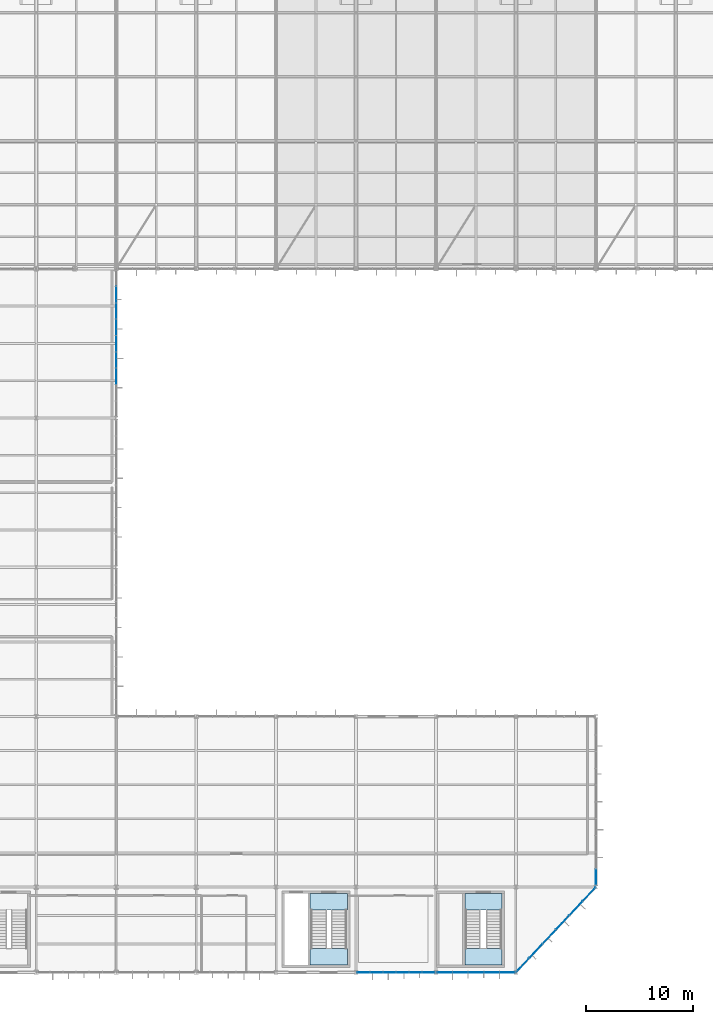
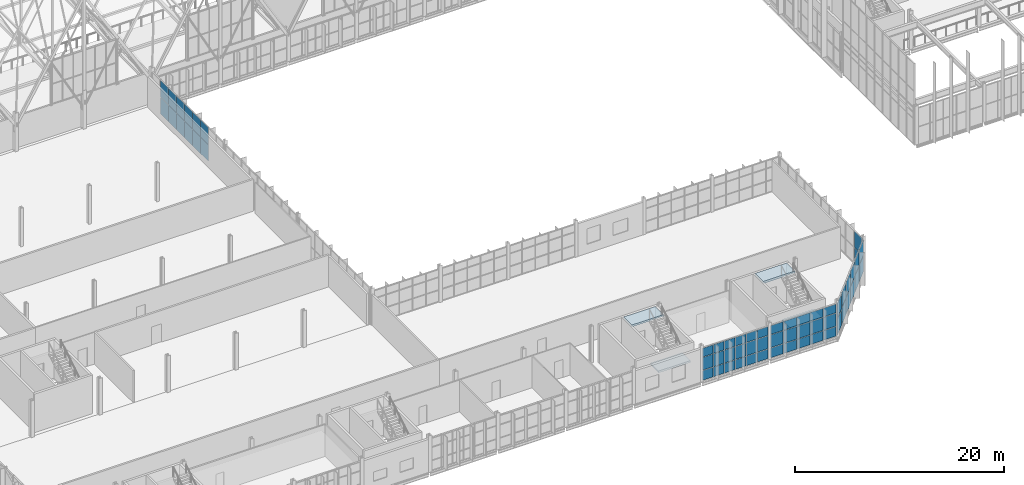
# One storey, part 269 of 324: 59 plates, 4 slabs, 7 elements without a shape of their own.
"""IFC4 building model written with IfcOpenShell, lengths in metres."""

import ifcopenshell
import ifcopenshell.guid

model = None  # the IFC model being written
_history = None  # IfcOwnerHistory: only IFC2X3 demands one
_inside = {}  # id of a spatial element -> (the spatial element, [elements in it])
_under = {}  # id of a project, library or spatial element -> (it, [spatial elements below it])
_declared = {}  # id of a project -> (the project, [libraries it declares])
_typed = {}  # id of a type object -> (the type object, [elements of that type])
_made_of = {}  # id of a material, layer set ... -> (it, [elements and type objects made of it])


def new_model(schema):
    """Start an empty IFC model of exactly this schema.

    Asked for "IFC4X3", IfcOpenShell would pick the latest addendum, in which some entities
    have other attributes; the version numbers below select the first issue.
    IFC2X3 requires an IfcOwnerHistory on every rooted entity: one is made here for all.
    """
    global model, _history
    if schema == "IFC4X3":
        model = ifcopenshell.file(schema_version=(4, 3, 0, 0))
    else:
        model = ifcopenshell.file(schema=schema)
    _inside.clear()
    _under.clear()
    _declared.clear()
    _typed.clear()
    _made_of.clear()
    _history = None
    if model.schema == "IFC2X3":
        org = make("IfcOrganization", Name="unknown")
        user = make(
            "IfcPersonAndOrganization",
            ThePerson=make("IfcPerson", FamilyName="unknown"),
            TheOrganization=org,
        )
        app = make(
            "IfcApplication",
            ApplicationDeveloper=org,
            Version="unknown",
            ApplicationFullName="unknown",
            ApplicationIdentifier="unknown",
        )
        _history = make(
            "IfcOwnerHistory",
            OwningUser=user,
            OwningApplication=app,
            ChangeAction="ADDED",
            CreationDate=0,
        )
    return model


def make(cls, **values):
    """One entity of the class cls with the attributes given. An attribute that is None is left unset."""
    return model.create_entity(
        cls, **{name: value for name, value in values.items() if value is not None}
    )


def rooted(cls, **values):
    """An entity with a GlobalId (a new one), such as an element, a storey or a relation."""
    return make(cls, GlobalId=ifcopenshell.guid.new(), OwnerHistory=_history, **values)


def si_unit(unit_type, name, prefix=None):
    """IfcSIUnit, for example si_unit("LENGTHUNIT", "METRE", prefix="MILLI")."""
    return make("IfcSIUnit", UnitType=unit_type, Prefix=prefix, Name=name)


def assignment(units):
    """IfcUnitAssignment: the units of a project."""
    return None if units is None else make("IfcUnitAssignment", Units=units)


def point(xyz):
    """IfcCartesianPoint."""
    return None if xyz is None else make("IfcCartesianPoint", Coordinates=xyz)


def direction(xyz):
    """IfcDirection."""
    return None if xyz is None else make("IfcDirection", DirectionRatios=xyz)


def frame(location, z_axis=None, x_axis=None):
    """IfcAxis2Placement3D, a coordinate frame: its origin and axes. An axis left out is left unset."""
    return make(
        "IfcAxis2Placement3D",
        Location=point(location),
        Axis=direction(z_axis),
        RefDirection=direction(x_axis),
    )


def frame_2d(location, x_axis=None):
    """IfcAxis2Placement2D, a coordinate frame in the plane: its origin and x axis."""
    return make(
        "IfcAxis2Placement2D", Location=point(location), RefDirection=direction(x_axis)
    )


def origin():
    """The frame at (0, 0, 0) with its axes left unset."""
    return frame((0.0, 0.0, 0.0))


def origin_2d():
    """The frame at (0, 0) in the plane with its x axis left unset."""
    return frame_2d((0.0, 0.0))


def place(relative_to, where):
    """IfcLocalPlacement: puts the frame where relative to a parent placement (None: the world)."""
    return make(
        "IfcLocalPlacement", PlacementRelTo=relative_to, RelativePlacement=where
    )


def context(
    kind, dimensions, precision=None, world=None, true_north=None, identifier=None
):
    """IfcGeometricRepresentationContext, for example the 3D "Model" context."""
    return make(
        "IfcGeometricRepresentationContext",
        ContextIdentifier=identifier,
        ContextType=kind,
        CoordinateSpaceDimension=dimensions,
        Precision=precision,
        WorldCoordinateSystem=world,
        TrueNorth=true_north,
    )


def subcontext(parent, identifier, kind, view, scale=None):
    """IfcGeometricRepresentationSubContext, for example "Body" below "Model"."""
    return make(
        "IfcGeometricRepresentationSubContext",
        ContextIdentifier=identifier,
        ContextType=kind,
        ParentContext=parent,
        TargetScale=scale,
        TargetView=view,
    )


def project(units=None, contexts=None):
    """IfcProject with its units and contexts."""
    return rooted(
        "IfcProject",
        Name="project",
        RepresentationContexts=contexts,
        UnitsInContext=assignment(units),
    )


def spatial(cls, under=None, at=None, **own):
    """A site, building, storey or space (cls), placed at a placement, below another one or the project."""
    s = rooted(cls, ObjectPlacement=at, **own)
    if under is not None:
        _under.setdefault(under.id(), (under, []))[1].append(s)
    return s


def polyline(points):
    """IfcPolyline through the points."""
    return make("IfcPolyline", Points=[point(p) for p in points])


def profile(cls, at=None, kind="AREA", **sizes):
    """A parametric profile (cls). Its sizes go by their IFC names, for example OverallWidth=200.0."""
    return make(cls, ProfileType=kind, Position=at, **sizes)


def rectangle(**sizes):
    """IfcRectangleProfileDef."""
    return profile("IfcRectangleProfileDef", **sizes)


def outline(outer, holes=None, kind="AREA"):
    """IfcArbitraryClosedProfileDef: a profile drawn as a closed curve; with holes, ...WithVoids."""
    if holes is None:
        return make("IfcArbitraryClosedProfileDef", ProfileType=kind, OuterCurve=outer)
    return make(
        "IfcArbitraryProfileDefWithVoids",
        ProfileType=kind,
        OuterCurve=outer,
        InnerCurves=holes,
    )


def extrude(swept, where, along, depth):
    """IfcExtrudedAreaSolid: the profile swept, set in the frame where, extruded along a direction by depth."""
    return make(
        "IfcExtrudedAreaSolid",
        SweptArea=swept,
        Position=where,
        ExtrudedDirection=direction(along),
        Depth=depth,
    )


def shape(context_of_items, identifier, shape_type, items):
    """IfcShapeRepresentation: the items that make up one representation, for example the "Body"."""
    return make(
        "IfcShapeRepresentation",
        ContextOfItems=context_of_items,
        RepresentationIdentifier=identifier,
        RepresentationType=shape_type,
        Items=items,
    )


def material(Name=None, Category=None):
    """IfcMaterial."""
    return make("IfcMaterial", Name=Name, Category=Category)


def layer(
    of_material, thickness, ventilated=None, Name=None, Category=None, Priority=None
):
    """IfcMaterialLayer: one layer of a wall or slab, of a material (None: an air gap)."""
    return make(
        "IfcMaterialLayer",
        Material=of_material,
        LayerThickness=thickness,
        IsVentilated=ventilated,
        Name=Name,
        Category=Category,
        Priority=Priority,
    )


def layer_set(layers, Name=None):
    """IfcMaterialLayerSet."""
    return make("IfcMaterialLayerSet", MaterialLayers=layers, LayerSetName=Name)


def made_of(thing, what):
    """Note that an element or type object is made of a material, layer set ...; save() writes the relation."""
    if what is not None:
        _made_of.setdefault(what.id(), (what, []))[1].append(thing)
    return thing


def type_object(cls, material=None, **own):
    """A type object (cls), such as IfcWallType, which elements share."""
    return made_of(rooted(cls, **own), material)


def element(
    cls,
    number,
    at=None,
    inside=None,
    cuts=None,
    type_object=None,
    material=None,
    context=None,
    identifier="Body",
    shape_type=None,
    held_by="IfcProductDefinitionShape",
    body=None,
    shapes=None,
    **own,
):
    """One element of the class cls, such as IfcWall. Its Tag is "e" and its number.

    at: its placement. inside: the storey or other place that contains it. cuts: it is an
    opening in that element (IfcRelVoidsElement). A single representation is given by context,
    identifier, shape_type and body (its items); several are given by shapes. held_by: the class
    of the entity that holds the representations. save() writes the other relations.
    """
    e = rooted(cls, Tag="e%d" % number, ObjectPlacement=at, **own)
    if body is not None:
        shapes = [shape(context, identifier, shape_type, body)]
    if shapes is not None:
        e.Representation = make(held_by, Representations=shapes)
    if inside is not None:
        _inside.setdefault(inside.id(), (inside, []))[1].append(e)
    if cuts is not None:
        rooted(
            "IfcRelVoidsElement", RelatingBuildingElement=cuts, RelatedOpeningElement=e
        )
    if type_object is not None:
        _typed.setdefault(type_object.id(), (type_object, []))[1].append(e)
    return made_of(e, material)


def aggregate(whole, parts):
    """IfcRelAggregates: a whole, such as a stair, and the parts it consists of."""
    return rooted("IfcRelAggregates", RelatingObject=whole, RelatedObjects=parts)


def save(model, path):
    """Write the relations noted so far, then the file.

    IfcRelAggregates (storeys below a building ...), IfcRelContainedInSpatialStructure (elements
    in a storey), IfcRelDefinesByType, IfcRelAssociatesMaterial and IfcRelDeclares: one each for
    every whole, place, type object, material and project.
    """
    for whole, parts in _under.values():
        aggregate(whole, parts)
    for where, things in _inside.values():
        rooted(
            "IfcRelContainedInSpatialStructure",
            RelatedElements=things,
            RelatingStructure=where,
        )
    for kind, things in _typed.values():
        rooted("IfcRelDefinesByType", RelatedObjects=things, RelatingType=kind)
    for what, things in _made_of.values():
        rooted("IfcRelAssociatesMaterial", RelatedObjects=things, RelatingMaterial=what)
    for by, libraries in _declared.values():
        rooted("IfcRelDeclares", RelatingContext=by, RelatedDefinitions=libraries)
    model.write(path)


model = new_model("IFC4")

# Units and contexts
model_context = context("Model", 3, precision=1e-05, world=origin(), true_north=direction((0.0, 1.0)))
body_context = subcontext(model_context, "Body", "Model", "MODEL_VIEW")
ifc_project = project(units=[si_unit("LENGTHUNIT", "METRE"), si_unit("AREAUNIT", "SQUARE_METRE"), si_unit("VOLUMEUNIT", "CUBIC_METRE"), si_unit("PLANEANGLEUNIT", "RADIAN"), si_unit("MASSUNIT", "GRAM", prefix="KILO")], contexts=[model_context])

# Site, building, storey
site_placement = place(None, origin())
site = spatial("IfcSite", under=ifc_project, at=site_placement, CompositionType="ELEMENT")
building_placement = place(site_placement, origin())
building = spatial("IfcBuilding", under=site, at=building_placement, Name="Solvenia Promenade Tram Depot", CompositionType="ELEMENT")
storey_placement = place(building_placement, frame((0.0, 0.0, 4.5)))
storey = spatial("IfcBuildingStorey", under=building, at=storey_placement, Name="L01", CompositionType="ELEMENT", Elevation=4.5)

# Curtain wall, plates
ifc_material_1 = material(Name="Anodized aluminium AW-6063 T6", Category="aluminium")
ifc_layer_1 = layer(ifc_material_1, 0.1201171875, Name="Anodized aluminium AW-6063 T6", Category="aluminium")
ifc_layer_set_1 = layer_set([ifc_layer_1], Name="Anodized aluminium AW-6063 T6")
curtain_wall_type_1 = type_object("IfcCurtainWallType", Name="CW-Wash-1500", PredefinedType="NOTDEFINED", material=ifc_layer_set_1)
curtain_wall_1_placement = place(storey_placement, origin())
curtain_wall_1 = element("IfcCurtainWall", 1, at=curtain_wall_1_placement, inside=storey, type_object=curtain_wall_type_1, Name="Curtain Wall CW-V3-E-L1-3", PredefinedType="NOTDEFINED")
ifc_material_2 = material(Name="Low-iron translucent U-profile channel glass", Category="glass")
ifc_layer_2 = layer(ifc_material_2, 0.028076171875, Name="Low-iron translucent U-profile channel glass", Category="glass")
ifc_layer_set_2 = layer_set([ifc_layer_2], Name="Low-iron translucent U-profile channel glass")
plate_type_1 = type_object("IfcPlateType", Name="CWP-Panel-1", PredefinedType="CURTAIN_PANEL", material=ifc_layer_set_2)
plate_1_placement = place(storey_placement, frame((45.0, 55.90771484375, 0.06005859375), z_axis=(0.0, 0.0, 1.0), x_axis=(0.0, 1.0, 0.0)))
plate_1 = element("IfcPlate", 2, at=plate_1_placement, type_object=plate_type_1, Name="CW-10 panel 3.1", PredefinedType="CURTAIN_PANEL", context=body_context, shape_type="SweptSolid", body=[
    extrude(rectangle(XDim=1.47900390625, YDim=0.028076171875, at=origin_2d()), origin(), (0.0, 0.0, 1.0), 1.909912109375),
])
plate_2_placement = place(storey_placement, frame((45.0, 55.90771484375, 2.030029296875), z_axis=(0.0, 0.0, 1.0), x_axis=(0.0, 1.0, 0.0)))
plate_2 = element("IfcPlate", 3, at=plate_2_placement, type_object=plate_type_1, Name="CW-10 panel 3.2", PredefinedType="CURTAIN_PANEL", context=body_context, shape_type="SweptSolid", body=[
    extrude(rectangle(XDim=1.47900390625, YDim=0.028076171875, at=origin_2d()), origin(), (0.0, 0.0, 1.0), 1.9599609375),
])
plate_3_placement = place(storey_placement, frame((45.0, 57.43896484375, 0.06005859375), z_axis=(0.0, 0.0, 1.0), x_axis=(0.0, 1.0, 0.0)))
plate_3 = element("IfcPlate", 4, at=plate_3_placement, type_object=plate_type_1, Name="CW-10 panel 4.1", PredefinedType="CURTAIN_PANEL", context=body_context, shape_type="SweptSolid", body=[
    extrude(rectangle(XDim=1.47900390625, YDim=0.028076171875, at=origin_2d()), origin(), (0.0, 0.0, 1.0), 1.909912109375),
])
plate_4_placement = place(storey_placement, frame((45.0, 57.43896484375, 2.030029296875), z_axis=(0.0, 0.0, 1.0), x_axis=(0.0, 1.0, 0.0)))
plate_4 = element("IfcPlate", 5, at=plate_4_placement, type_object=plate_type_1, Name="CW-10 panel 4.2", PredefinedType="CURTAIN_PANEL", context=body_context, shape_type="SweptSolid", body=[
    extrude(rectangle(XDim=1.47900390625, YDim=0.028076171875, at=origin_2d()), origin(), (0.0, 0.0, 1.0), 1.9599609375),
])
plate_5_placement = place(storey_placement, frame((45.0, 58.969970703125, 0.06005859375), z_axis=(0.0, 0.0, 1.0), x_axis=(0.0, 1.0, 0.0)))
plate_5 = element("IfcPlate", 6, at=plate_5_placement, type_object=plate_type_1, Name="CW-10 panel 5.1", PredefinedType="CURTAIN_PANEL", context=body_context, shape_type="SweptSolid", body=[
    extrude(rectangle(XDim=1.47900390625, YDim=0.028076171875, at=origin_2d()), origin(), (0.0, 0.0, 1.0), 1.909912109375),
])
plate_6_placement = place(storey_placement, frame((45.0, 58.969970703125, 2.030029296875), z_axis=(0.0, 0.0, 1.0), x_axis=(0.0, 1.0, 0.0)))
plate_6 = element("IfcPlate", 7, at=plate_6_placement, type_object=plate_type_1, Name="CW-10 panel 5.2", PredefinedType="CURTAIN_PANEL", context=body_context, shape_type="SweptSolid", body=[
    extrude(rectangle(XDim=1.47900390625, YDim=0.028076171875, at=origin_2d()), origin(), (0.0, 0.0, 1.0), 1.9599609375),
])
plate_7_placement = place(storey_placement, frame((45.0, 60.501220703125, 0.06005859375), z_axis=(0.0, 0.0, 1.0), x_axis=(0.0, 1.0, 0.0)))
plate_7 = element("IfcPlate", 8, at=plate_7_placement, type_object=plate_type_1, Name="CW-10 panel 6.1", PredefinedType="CURTAIN_PANEL", context=body_context, shape_type="SweptSolid", body=[
    extrude(rectangle(XDim=1.47900390625, YDim=0.028076171875, at=origin_2d()), origin(), (0.0, 0.0, 1.0), 1.909912109375),
])
plate_8_placement = place(storey_placement, frame((45.0, 60.501220703125, 2.030029296875), z_axis=(0.0, 0.0, 1.0), x_axis=(0.0, 1.0, 0.0)))
plate_8 = element("IfcPlate", 9, at=plate_8_placement, type_object=plate_type_1, Name="CW-10 panel 6.2", PredefinedType="CURTAIN_PANEL", context=body_context, shape_type="SweptSolid", body=[
    extrude(rectangle(XDim=1.47900390625, YDim=0.028076171875, at=origin_2d()), origin(), (0.0, 0.0, 1.0), 1.9599609375),
])
plate_9_placement = place(storey_placement, frame((45.0, 62.0322265625, 0.06005859375), z_axis=(0.0, 0.0, 1.0), x_axis=(0.0, 1.0, 0.0)))
plate_9 = element("IfcPlate", 10, at=plate_9_placement, type_object=plate_type_1, Name="CW-10 panel 7.1", PredefinedType="CURTAIN_PANEL", context=body_context, shape_type="SweptSolid", body=[
    extrude(rectangle(XDim=1.47900390625, YDim=0.028076171875, at=origin_2d()), origin(), (0.0, 0.0, 1.0), 1.909912109375),
])
plate_10_placement = place(storey_placement, frame((45.0, 62.0322265625, 2.030029296875), z_axis=(0.0, 0.0, 1.0), x_axis=(0.0, 1.0, 0.0)))
plate_10 = element("IfcPlate", 11, at=plate_10_placement, type_object=plate_type_1, Name="CW-10 panel 7.2", PredefinedType="CURTAIN_PANEL", context=body_context, shape_type="SweptSolid", body=[
    extrude(rectangle(XDim=1.47900390625, YDim=0.028076171875, at=origin_2d()), origin(), (0.0, 0.0, 1.0), 1.9599609375),
])
plate_11_placement = place(storey_placement, frame((45.0, 63.563232421875, 0.06005859375), z_axis=(0.0, 0.0, 1.0), x_axis=(0.0, 1.0, 0.0)))
plate_11 = element("IfcPlate", 12, at=plate_11_placement, type_object=plate_type_1, Name="CW-10 panel 8.1", PredefinedType="CURTAIN_PANEL", context=body_context, shape_type="SweptSolid", body=[
    extrude(rectangle(XDim=1.47900390625, YDim=0.028076171875, at=origin_2d()), origin(), (0.0, 0.0, 1.0), 1.909912109375),
])
plate_12_placement = place(storey_placement, frame((45.0, 63.563232421875, 2.030029296875), z_axis=(0.0, 0.0, 1.0), x_axis=(0.0, 1.0, 0.0)))
plate_12 = element("IfcPlate", 13, at=plate_12_placement, type_object=plate_type_1, Name="CW-10 panel 8.2", PredefinedType="CURTAIN_PANEL", context=body_context, shape_type="SweptSolid", body=[
    extrude(rectangle(XDim=1.47900390625, YDim=0.028076171875, at=origin_2d()), origin(), (0.0, 0.0, 1.0), 1.9599609375),
])
aggregate(curtain_wall_1, [plate_1, plate_2, plate_3, plate_4, plate_5, plate_6, plate_7, plate_8, plate_9, plate_10, plate_11, plate_12])

ifc_layer_3 = layer(ifc_material_1, 0.14990234375, Name="Anodized aluminium AW-6063 T6", Category="aluminium")
ifc_layer_set_3 = layer_set([ifc_layer_3], Name="Anodized aluminium AW-6063 T6")
curtain_wall_type_2 = type_object("IfcCurtainWallType", Name="CW-Court-1500", PredefinedType="NOTDEFINED", material=ifc_layer_set_3)
curtain_wall_2_placement = place(storey_placement, origin())
curtain_wall_2 = element("IfcCurtainWall", 14, at=curtain_wall_2_placement, inside=storey, type_object=curtain_wall_type_2, Name="Curtain Wall CW-V4E-L01", PredefinedType="NOTDEFINED")
ifc_material_3 = material(Name="Double low-e argon insulated glass", Category="glass")
ifc_layer_4 = layer(ifc_material_3, 0.031982421875, Name="Double low-e argon insulated glass", Category="glass")
ifc_layer_set_4 = layer_set([ifc_layer_4], Name="Double low-e argon insulated glass")
plate_type_2 = type_object("IfcPlateType", Name="CWP-Panel-2", PredefinedType="CURTAIN_PANEL", material=ifc_layer_set_4)
plate_13_placement = place(storey_placement, frame((90.0, 8.947509765625, 0.06494140625), z_axis=(0.0, 0.0, 1.0), x_axis=(0.0, 1.0, 0.0)))
plate_13 = element("IfcPlate", 15, at=plate_13_placement, type_object=plate_type_2, Name="CW-5 panel 1.1", PredefinedType="CURTAIN_PANEL", context=body_context, shape_type="SweptSolid", body=[
    extrude(rectangle(XDim=1.4951171875, YDim=0.031982421875, at=origin_2d()), origin(), (0.0, 0.0, 1.0), 1.75244140625),
])
plate_14_placement = place(storey_placement, frame((90.0, 8.947509765625, 1.88232421875), z_axis=(0.0, 0.0, 1.0), x_axis=(0.0, 1.0, 0.0)))
plate_14 = element("IfcPlate", 16, at=plate_14_placement, type_object=plate_type_2, Name="CW-5 panel 1.2", PredefinedType="CURTAIN_PANEL", context=body_context, shape_type="SweptSolid", body=[
    extrude(rectangle(XDim=1.4951171875, YDim=0.031982421875, at=origin_2d()), origin(), (0.0, 0.0, 1.0), 1.902587890625),
])
aggregate(curtain_wall_2, [plate_13, plate_14])

ifc_layer_5 = layer(ifc_material_1, 0.179931640625, Name="Anodized aluminium AW-6063 T6", Category="aluminium")
ifc_layer_set_5 = layer_set([ifc_layer_5], Name="Anodized aluminium AW-6063 T6")
curtain_wall_type_3 = type_object("IfcCurtainWallType", Name="CW-Prom-1800", PredefinedType="NOTDEFINED", material=ifc_layer_set_5)
curtain_wall_3_placement = place(storey_placement, origin())
curtain_wall_3 = element("IfcCurtainWall", 17, at=curtain_wall_3_placement, inside=storey, type_object=curtain_wall_type_3, Name="L01 East Forecourt Faceted Prow Curtain Wall", PredefinedType="NOTDEFINED")
ifc_layer_6 = layer(ifc_material_3, 0.035888671875, Name="Double low-e argon insulated glass", Category="glass")
ifc_layer_set_6 = layer_set([ifc_layer_6], Name="Double low-e argon insulated glass")
plate_type_3 = type_object("IfcPlateType", Name="CWP-Panel-3", PredefinedType="CURTAIN_PANEL", material=ifc_layer_set_6)
plate_15_placement = place(storey_placement, frame((83.13330078125, 0.675537109375, 0.057861328125), z_axis=(0.0, 0.0, 1.0), x_axis=(0.683941128881, 0.72953720414, 0.0)))
plate_15 = element("IfcPlate", 18, at=plate_15_placement, type_object=plate_type_3, Name="CW-9 panel 1.1", PredefinedType="CURTAIN_PANEL", context=body_context, shape_type="SweptSolid", body=[
    extrude(rectangle(XDim=1.755615234375, YDim=0.035888671875, at=origin_2d()), origin(), (0.0, 0.0, 1.0), 1.9130859375),
])
plate_16_placement = place(storey_placement, frame((83.13330078125, 0.675537109375, 2.02880859375), z_axis=(0.0, 0.0, 1.0), x_axis=(0.683941128881, 0.72953720414, 0.0)))
plate_16 = element("IfcPlate", 19, at=plate_16_placement, type_object=plate_type_3, Name="CW-9 panel 1.2", PredefinedType="CURTAIN_PANEL", context=body_context, shape_type="SweptSolid", body=[
    extrude(rectangle(XDim=1.755615234375, YDim=0.035888671875, at=origin_2d()), origin(), (0.0, 0.0, 1.0), 1.762939453125),
])
plate_17_placement = place(storey_placement, frame((84.375, 2.0, 0.057861328125), z_axis=(0.0, 0.0, 1.0), x_axis=(0.683941128881, 0.72953720414, 0.0)))
plate_17 = element("IfcPlate", 20, at=plate_17_placement, type_object=plate_type_3, Name="CW-9 panel 2.1", PredefinedType="CURTAIN_PANEL", context=body_context, shape_type="SweptSolid", body=[
    extrude(rectangle(XDim=1.779541015625, YDim=0.035888671875, at=origin_2d()), origin(), (0.0, 0.0, 1.0), 1.9130859375),
])
plate_18_placement = place(storey_placement, frame((84.375, 2.0, 2.02880859375), z_axis=(0.0, 0.0, 1.0), x_axis=(0.683941128881, 0.72953720414, 0.0)))
plate_18 = element("IfcPlate", 21, at=plate_18_placement, type_object=plate_type_3, Name="CW-9 panel 2.2", PredefinedType="CURTAIN_PANEL", context=body_context, shape_type="SweptSolid", body=[
    extrude(rectangle(XDim=1.779541015625, YDim=0.035888671875, at=origin_2d()), origin(), (0.0, 0.0, 1.0), 1.762939453125),
])
plate_19_placement = place(storey_placement, frame((85.625, 3.333251953125, 0.057861328125), z_axis=(0.0, 0.0, 1.0), x_axis=(0.683941128881, 0.72953720414, 0.0)))
plate_19 = element("IfcPlate", 22, at=plate_19_placement, type_object=plate_type_3, Name="CW-9 panel 3.1", PredefinedType="CURTAIN_PANEL", context=body_context, shape_type="SweptSolid", body=[
    extrude(rectangle(XDim=1.779541015625, YDim=0.035888671875, at=origin_2d()), origin(), (0.0, 0.0, 1.0), 1.9130859375),
])
plate_20_placement = place(storey_placement, frame((85.625, 3.333251953125, 2.02880859375), z_axis=(0.0, 0.0, 1.0), x_axis=(0.683941128881, 0.72953720414, 0.0)))
plate_20 = element("IfcPlate", 23, at=plate_20_placement, type_object=plate_type_3, Name="CW-9 panel 3.2", PredefinedType="CURTAIN_PANEL", context=body_context, shape_type="SweptSolid", body=[
    extrude(rectangle(XDim=1.779541015625, YDim=0.035888671875, at=origin_2d()), origin(), (0.0, 0.0, 1.0), 1.762939453125),
])
plate_21_placement = place(storey_placement, frame((86.875, 4.666748046875, 0.057861328125), z_axis=(0.0, 0.0, 1.0), x_axis=(0.683941128881, 0.72953720414, 0.0)))
plate_21 = element("IfcPlate", 24, at=plate_21_placement, type_object=plate_type_3, Name="CW-9 panel 4.1", PredefinedType="CURTAIN_PANEL", context=body_context, shape_type="SweptSolid", body=[
    extrude(rectangle(XDim=1.779541015625, YDim=0.035888671875, at=origin_2d()), origin(), (0.0, 0.0, 1.0), 1.9130859375),
])
plate_22_placement = place(storey_placement, frame((86.875, 4.666748046875, 2.02880859375), z_axis=(0.0, 0.0, 1.0), x_axis=(0.683941128881, 0.72953720414, 0.0)))
plate_22 = element("IfcPlate", 25, at=plate_22_placement, type_object=plate_type_3, Name="CW-9 panel 4.2", PredefinedType="CURTAIN_PANEL", context=body_context, shape_type="SweptSolid", body=[
    extrude(rectangle(XDim=1.779541015625, YDim=0.035888671875, at=origin_2d()), origin(), (0.0, 0.0, 1.0), 1.762939453125),
])
plate_23_placement = place(storey_placement, frame((88.125, 6.0, 0.057861328125), z_axis=(0.0, 0.0, 1.0), x_axis=(0.683941128881, 0.72953720414, 0.0)))
plate_23 = element("IfcPlate", 26, at=plate_23_placement, type_object=plate_type_3, Name="CW-9 panel 5.1", PredefinedType="CURTAIN_PANEL", context=body_context, shape_type="SweptSolid", body=[
    extrude(rectangle(XDim=1.779541015625, YDim=0.035888671875, at=origin_2d()), origin(), (0.0, 0.0, 1.0), 1.9130859375),
])
plate_24_placement = place(storey_placement, frame((88.125, 6.0, 2.02880859375), z_axis=(0.0, 0.0, 1.0), x_axis=(0.683941128881, 0.72953720414, 0.0)))
plate_24 = element("IfcPlate", 27, at=plate_24_placement, type_object=plate_type_3, Name="CW-9 panel 5.2", PredefinedType="CURTAIN_PANEL", context=body_context, shape_type="SweptSolid", body=[
    extrude(rectangle(XDim=1.779541015625, YDim=0.035888671875, at=origin_2d()), origin(), (0.0, 0.0, 1.0), 1.762939453125),
])
plate_25_placement = place(storey_placement, frame((89.36669921875, 7.324462890625, 0.057861328125), z_axis=(0.0, 0.0, 1.0), x_axis=(0.683941128881, 0.72953720414, 0.0)))
plate_25 = element("IfcPlate", 28, at=plate_25_placement, type_object=plate_type_3, Name="CW-9 panel 6.1", PredefinedType="CURTAIN_PANEL", context=body_context, shape_type="SweptSolid", body=[
    extrude(rectangle(XDim=1.755615234375, YDim=0.035888671875, at=origin_2d()), origin(), (0.0, 0.0, 1.0), 1.9130859375),
])
plate_26_placement = place(storey_placement, frame((89.36669921875, 7.324462890625, 2.02880859375), z_axis=(0.0, 0.0, 1.0), x_axis=(0.683941128881, 0.72953720414, 0.0)))
plate_26 = element("IfcPlate", 29, at=plate_26_placement, type_object=plate_type_3, Name="CW-9 panel 6.2", PredefinedType="CURTAIN_PANEL", context=body_context, shape_type="SweptSolid", body=[
    extrude(rectangle(XDim=1.755615234375, YDim=0.035888671875, at=origin_2d()), origin(), (0.0, 0.0, 1.0), 1.762939453125),
])
aggregate(curtain_wall_3, [plate_15, plate_16, plate_17, plate_18, plate_19, plate_20, plate_21, plate_22, plate_23, plate_24, plate_25, plate_26])

ifc_layer_7 = layer(ifc_material_1, 0.179931640625, Name="Anodized aluminium AW-6063 T6", Category="aluminium")
ifc_layer_set_7 = layer_set([ifc_layer_7], Name="Anodized aluminium AW-6063 T6")
curtain_wall_type_4 = type_object("IfcCurtainWallType", Name="CW-Solar-1250", PredefinedType="NOTDEFINED", material=ifc_layer_set_7)
curtain_wall_4_placement = place(storey_placement, origin())
curtain_wall_4 = element("IfcCurtainWall", 30, at=curtain_wall_4_placement, inside=storey, type_object=curtain_wall_type_4, Name="Curtain Wall CW-V4S-L01-09", PredefinedType="NOTDEFINED")
plate_27_placement = place(storey_placement, frame((68.20361328125, 0.0, 0.05810546875), z_axis=(0.0, 0.0, 1.0), x_axis=(1.0, 0.0, 0.0)))
plate_27 = element("IfcPlate", 31, at=plate_27_placement, type_object=plate_type_3, Name="CW-6 panel 1.1", PredefinedType="CURTAIN_PANEL", context=body_context, shape_type="SweptSolid", body=[
    extrude(rectangle(XDim=1.1513671875, YDim=0.035888671875, at=origin_2d()), origin(), (0.0, 0.0, 1.0), 1.113037109375),
])
plate_28_placement = place(storey_placement, frame((68.20361328125, 0.0, 1.22900390625), z_axis=(0.0, 0.0, 1.0), x_axis=(1.0, 0.0, 0.0)))
plate_28 = element("IfcPlate", 32, at=plate_28_placement, type_object=plate_type_3, Name="CW-6 panel 1.2", PredefinedType="CURTAIN_PANEL", context=body_context, shape_type="SweptSolid", body=[
    extrude(rectangle(XDim=1.1513671875, YDim=0.035888671875, at=origin_2d()), origin(), (0.0, 0.0, 1.0), 1.491943359375),
])
plate_29_placement = place(storey_placement, frame((68.20361328125, 0.0, 2.77880859375), z_axis=(0.0, 0.0, 1.0), x_axis=(1.0, 0.0, 0.0)))
plate_29 = element("IfcPlate", 33, at=plate_29_placement, type_object=plate_type_3, Name="CW-6 panel 1.3", PredefinedType="CURTAIN_PANEL", context=body_context, shape_type="SweptSolid", body=[
    extrude(rectangle(XDim=1.1513671875, YDim=0.035888671875, at=origin_2d()), origin(), (0.0, 0.0, 1.0), 1.012939453125),
])
plate_30_placement = place(storey_placement, frame((69.4150390625, 0.0, 0.05810546875), z_axis=(0.0, 0.0, 1.0), x_axis=(1.0, 0.0, 0.0)))
plate_30 = element("IfcPlate", 34, at=plate_30_placement, type_object=plate_type_3, Name="CW-6 panel 2.1", PredefinedType="CURTAIN_PANEL", context=body_context, shape_type="SweptSolid", body=[
    extrude(rectangle(XDim=1.17529296875, YDim=0.035888671875, at=origin_2d()), origin(), (0.0, 0.0, 1.0), 1.113037109375),
])
plate_31_placement = place(storey_placement, frame((69.4150390625, 0.0, 1.22900390625), z_axis=(0.0, 0.0, 1.0), x_axis=(1.0, 0.0, 0.0)))
plate_31 = element("IfcPlate", 35, at=plate_31_placement, type_object=plate_type_3, Name="CW-6 panel 2.2", PredefinedType="CURTAIN_PANEL", context=body_context, shape_type="SweptSolid", body=[
    extrude(rectangle(XDim=1.17529296875, YDim=0.035888671875, at=origin_2d()), origin(), (0.0, 0.0, 1.0), 1.491943359375),
])
plate_32_placement = place(storey_placement, frame((69.4150390625, 0.0, 2.77880859375), z_axis=(0.0, 0.0, 1.0), x_axis=(1.0, 0.0, 0.0)))
plate_32 = element("IfcPlate", 36, at=plate_32_placement, type_object=plate_type_3, Name="CW-6 panel 2.3", PredefinedType="CURTAIN_PANEL", context=body_context, shape_type="SweptSolid", body=[
    extrude(rectangle(XDim=1.17529296875, YDim=0.035888671875, at=origin_2d()), origin(), (0.0, 0.0, 1.0), 1.012939453125),
])
plate_33_placement = place(storey_placement, frame((70.638427734375, 0.0, 0.05810546875), z_axis=(0.0, 0.0, 1.0), x_axis=(1.0, 0.0, 0.0)))
plate_33 = element("IfcPlate", 37, at=plate_33_placement, type_object=plate_type_3, Name="CW-6 panel 3.1", PredefinedType="CURTAIN_PANEL", context=body_context, shape_type="SweptSolid", body=[
    extrude(rectangle(XDim=1.17529296875, YDim=0.035888671875, at=origin_2d()), origin(), (0.0, 0.0, 1.0), 1.113037109375),
])
plate_34_placement = place(storey_placement, frame((70.638427734375, 0.0, 1.22900390625), z_axis=(0.0, 0.0, 1.0), x_axis=(1.0, 0.0, 0.0)))
plate_34 = element("IfcPlate", 38, at=plate_34_placement, type_object=plate_type_3, Name="CW-6 panel 3.2", PredefinedType="CURTAIN_PANEL", context=body_context, shape_type="SweptSolid", body=[
    extrude(rectangle(XDim=1.17529296875, YDim=0.035888671875, at=origin_2d()), origin(), (0.0, 0.0, 1.0), 1.491943359375),
])
plate_35_placement = place(storey_placement, frame((70.638427734375, 0.0, 2.77880859375), z_axis=(0.0, 0.0, 1.0), x_axis=(1.0, 0.0, 0.0)))
plate_35 = element("IfcPlate", 39, at=plate_35_placement, type_object=plate_type_3, Name="CW-6 panel 3.3", PredefinedType="CURTAIN_PANEL", context=body_context, shape_type="SweptSolid", body=[
    extrude(rectangle(XDim=1.17529296875, YDim=0.035888671875, at=origin_2d()), origin(), (0.0, 0.0, 1.0), 1.012939453125),
])
plate_36_placement = place(storey_placement, frame((71.861572265625, 0.0, 0.05810546875), z_axis=(0.0, 0.0, 1.0), x_axis=(1.0, 0.0, 0.0)))
plate_36 = element("IfcPlate", 40, at=plate_36_placement, type_object=plate_type_3, Name="CW-6 panel 4.1", PredefinedType="CURTAIN_PANEL", context=body_context, shape_type="SweptSolid", body=[
    extrude(rectangle(XDim=1.17529296875, YDim=0.035888671875, at=origin_2d()), origin(), (0.0, 0.0, 1.0), 1.113037109375),
])
plate_37_placement = place(storey_placement, frame((71.861572265625, 0.0, 1.22900390625), z_axis=(0.0, 0.0, 1.0), x_axis=(1.0, 0.0, 0.0)))
plate_37 = element("IfcPlate", 41, at=plate_37_placement, type_object=plate_type_3, Name="CW-6 panel 4.2", PredefinedType="CURTAIN_PANEL", context=body_context, shape_type="SweptSolid", body=[
    extrude(rectangle(XDim=1.17529296875, YDim=0.035888671875, at=origin_2d()), origin(), (0.0, 0.0, 1.0), 1.491943359375),
])
plate_38_placement = place(storey_placement, frame((71.861572265625, 0.0, 2.77880859375), z_axis=(0.0, 0.0, 1.0), x_axis=(1.0, 0.0, 0.0)))
plate_38 = element("IfcPlate", 42, at=plate_38_placement, type_object=plate_type_3, Name="CW-6 panel 4.3", PredefinedType="CURTAIN_PANEL", context=body_context, shape_type="SweptSolid", body=[
    extrude(rectangle(XDim=1.17529296875, YDim=0.035888671875, at=origin_2d()), origin(), (0.0, 0.0, 1.0), 1.012939453125),
])
plate_39_placement = place(storey_placement, frame((73.0849609375, 0.0, 0.05810546875), z_axis=(0.0, 0.0, 1.0), x_axis=(1.0, 0.0, 0.0)))
plate_39 = element("IfcPlate", 43, at=plate_39_placement, type_object=plate_type_3, Name="CW-6 panel 5.1", PredefinedType="CURTAIN_PANEL", context=body_context, shape_type="SweptSolid", body=[
    extrude(rectangle(XDim=1.17529296875, YDim=0.035888671875, at=origin_2d()), origin(), (0.0, 0.0, 1.0), 1.113037109375),
])
plate_40_placement = place(storey_placement, frame((73.0849609375, 0.0, 1.22900390625), z_axis=(0.0, 0.0, 1.0), x_axis=(1.0, 0.0, 0.0)))
plate_40 = element("IfcPlate", 44, at=plate_40_placement, type_object=plate_type_3, Name="CW-6 panel 5.2", PredefinedType="CURTAIN_PANEL", context=body_context, shape_type="SweptSolid", body=[
    extrude(rectangle(XDim=1.17529296875, YDim=0.035888671875, at=origin_2d()), origin(), (0.0, 0.0, 1.0), 1.491943359375),
])
plate_41_placement = place(storey_placement, frame((73.0849609375, 0.0, 2.77880859375), z_axis=(0.0, 0.0, 1.0), x_axis=(1.0, 0.0, 0.0)))
plate_41 = element("IfcPlate", 45, at=plate_41_placement, type_object=plate_type_3, Name="CW-6 panel 5.3", PredefinedType="CURTAIN_PANEL", context=body_context, shape_type="SweptSolid", body=[
    extrude(rectangle(XDim=1.17529296875, YDim=0.035888671875, at=origin_2d()), origin(), (0.0, 0.0, 1.0), 1.012939453125),
])
plate_42_placement = place(storey_placement, frame((74.29638671875, 0.0, 0.05810546875), z_axis=(0.0, 0.0, 1.0), x_axis=(1.0, 0.0, 0.0)))
plate_42 = element("IfcPlate", 46, at=plate_42_placement, type_object=plate_type_3, Name="CW-6 panel 6.1", PredefinedType="CURTAIN_PANEL", context=body_context, shape_type="SweptSolid", body=[
    extrude(rectangle(XDim=1.1513671875, YDim=0.035888671875, at=origin_2d()), origin(), (0.0, 0.0, 1.0), 1.113037109375),
])
plate_43_placement = place(storey_placement, frame((74.29638671875, 0.0, 1.22900390625), z_axis=(0.0, 0.0, 1.0), x_axis=(1.0, 0.0, 0.0)))
plate_43 = element("IfcPlate", 47, at=plate_43_placement, type_object=plate_type_3, Name="CW-6 panel 6.2", PredefinedType="CURTAIN_PANEL", context=body_context, shape_type="SweptSolid", body=[
    extrude(rectangle(XDim=1.1513671875, YDim=0.035888671875, at=origin_2d()), origin(), (0.0, 0.0, 1.0), 1.491943359375),
])
plate_44_placement = place(storey_placement, frame((74.29638671875, 0.0, 2.77880859375), z_axis=(0.0, 0.0, 1.0), x_axis=(1.0, 0.0, 0.0)))
plate_44 = element("IfcPlate", 48, at=plate_44_placement, type_object=plate_type_3, Name="CW-6 panel 6.3", PredefinedType="CURTAIN_PANEL", context=body_context, shape_type="SweptSolid", body=[
    extrude(rectangle(XDim=1.1513671875, YDim=0.035888671875, at=origin_2d()), origin(), (0.0, 0.0, 1.0), 1.012939453125),
])
aggregate(curtain_wall_4, [plate_27, plate_28, plate_29, plate_30, plate_31, plate_32, plate_33, plate_34, plate_35, plate_36, plate_37, plate_38, plate_39, plate_40, plate_41, plate_42, plate_43, plate_44])

ifc_layer_8 = layer(ifc_material_1, 0.179931640625, Name="Anodized aluminium AW-6063 T6", Category="aluminium")
ifc_layer_set_8 = layer_set([ifc_layer_8], Name="Anodized aluminium AW-6063 T6")
curtain_wall_type_5 = type_object("IfcCurtainWallType", Name="CW-Solar-1500", PredefinedType="NOTDEFINED", material=ifc_layer_set_8)
curtain_wall_5_placement = place(storey_placement, origin())
curtain_wall_5 = element("IfcCurtainWall", 49, at=curtain_wall_5_placement, inside=storey, type_object=curtain_wall_type_5, Name="Curtain Wall CW-V4S-L01-10", PredefinedType="NOTDEFINED")
plate_45_placement = place(storey_placement, frame((75.825927734375, 0.0, 0.05810546875), z_axis=(0.0, 0.0, 1.0), x_axis=(1.0, 0.0, 0.0)))
plate_45 = element("IfcPlate", 50, at=plate_45_placement, type_object=plate_type_3, Name="CW-7 panel 1.1", PredefinedType="CURTAIN_PANEL", context=body_context, shape_type="SweptSolid", body=[
    extrude(rectangle(XDim=1.39599609375, YDim=0.035888671875, at=origin_2d()), origin(), (0.0, 0.0, 1.0), 1.113037109375),
])
plate_46_placement = place(storey_placement, frame((75.825927734375, 0.0, 1.22900390625), z_axis=(0.0, 0.0, 1.0), x_axis=(1.0, 0.0, 0.0)))
plate_46 = element("IfcPlate", 51, at=plate_46_placement, type_object=plate_type_3, Name="CW-7 panel 1.2", PredefinedType="CURTAIN_PANEL", context=body_context, shape_type="SweptSolid", body=[
    extrude(rectangle(XDim=1.39599609375, YDim=0.035888671875, at=origin_2d()), origin(), (0.0, 0.0, 1.0), 1.491943359375),
])
plate_47_placement = place(storey_placement, frame((75.825927734375, 0.0, 2.77880859375), z_axis=(0.0, 0.0, 1.0), x_axis=(1.0, 0.0, 0.0)))
plate_47 = element("IfcPlate", 52, at=plate_47_placement, type_object=plate_type_3, Name="CW-7 panel 1.3", PredefinedType="CURTAIN_PANEL", context=body_context, shape_type="SweptSolid", body=[
    extrude(rectangle(XDim=1.39599609375, YDim=0.035888671875, at=origin_2d()), origin(), (0.0, 0.0, 1.0), 1.012939453125),
])
plate_48_placement = place(storey_placement, frame((77.281982421875, 0.0, 0.05810546875), z_axis=(0.0, 0.0, 1.0), x_axis=(1.0, 0.0, 0.0)))
plate_48 = element("IfcPlate", 53, at=plate_48_placement, type_object=plate_type_3, Name="CW-7 panel 2.1", PredefinedType="CURTAIN_PANEL", context=body_context, shape_type="SweptSolid", body=[
    extrude(rectangle(XDim=1.419921875, YDim=0.035888671875, at=origin_2d()), origin(), (0.0, 0.0, 1.0), 1.113037109375),
])
plate_49_placement = place(storey_placement, frame((77.281982421875, 0.0, 1.22900390625), z_axis=(0.0, 0.0, 1.0), x_axis=(1.0, 0.0, 0.0)))
plate_49 = element("IfcPlate", 54, at=plate_49_placement, type_object=plate_type_3, Name="CW-7 panel 2.2", PredefinedType="CURTAIN_PANEL", context=body_context, shape_type="SweptSolid", body=[
    extrude(rectangle(XDim=1.419921875, YDim=0.035888671875, at=origin_2d()), origin(), (0.0, 0.0, 1.0), 1.491943359375),
])
plate_50_placement = place(storey_placement, frame((77.281982421875, 0.0, 2.77880859375), z_axis=(0.0, 0.0, 1.0), x_axis=(1.0, 0.0, 0.0)))
plate_50 = element("IfcPlate", 55, at=plate_50_placement, type_object=plate_type_3, Name="CW-7 panel 2.3", PredefinedType="CURTAIN_PANEL", context=body_context, shape_type="SweptSolid", body=[
    extrude(rectangle(XDim=1.419921875, YDim=0.035888671875, at=origin_2d()), origin(), (0.0, 0.0, 1.0), 1.012939453125),
])
plate_51_placement = place(storey_placement, frame((78.75, 0.0, 0.05810546875), z_axis=(0.0, 0.0, 1.0), x_axis=(1.0, 0.0, 0.0)))
plate_51 = element("IfcPlate", 56, at=plate_51_placement, type_object=plate_type_3, Name="CW-7 panel 3.1", PredefinedType="CURTAIN_PANEL", context=body_context, shape_type="SweptSolid", body=[
    extrude(rectangle(XDim=1.419921875, YDim=0.035888671875, at=origin_2d()), origin(), (0.0, 0.0, 1.0), 1.113037109375),
])
plate_52_placement = place(storey_placement, frame((78.75, 0.0, 1.22900390625), z_axis=(0.0, 0.0, 1.0), x_axis=(1.0, 0.0, 0.0)))
plate_52 = element("IfcPlate", 57, at=plate_52_placement, type_object=plate_type_3, Name="CW-7 panel 3.2", PredefinedType="CURTAIN_PANEL", context=body_context, shape_type="SweptSolid", body=[
    extrude(rectangle(XDim=1.419921875, YDim=0.035888671875, at=origin_2d()), origin(), (0.0, 0.0, 1.0), 1.491943359375),
])
plate_53_placement = place(storey_placement, frame((78.75, 0.0, 2.77880859375), z_axis=(0.0, 0.0, 1.0), x_axis=(1.0, 0.0, 0.0)))
plate_53 = element("IfcPlate", 58, at=plate_53_placement, type_object=plate_type_3, Name="CW-7 panel 3.3", PredefinedType="CURTAIN_PANEL", context=body_context, shape_type="SweptSolid", body=[
    extrude(rectangle(XDim=1.419921875, YDim=0.035888671875, at=origin_2d()), origin(), (0.0, 0.0, 1.0), 1.012939453125),
])
plate_54_placement = place(storey_placement, frame((80.218017578125, 0.0, 0.05810546875), z_axis=(0.0, 0.0, 1.0), x_axis=(1.0, 0.0, 0.0)))
plate_54 = element("IfcPlate", 59, at=plate_54_placement, type_object=plate_type_3, Name="CW-7 panel 4.1", PredefinedType="CURTAIN_PANEL", context=body_context, shape_type="SweptSolid", body=[
    extrude(rectangle(XDim=1.419921875, YDim=0.035888671875, at=origin_2d()), origin(), (0.0, 0.0, 1.0), 1.113037109375),
])
plate_55_placement = place(storey_placement, frame((80.218017578125, 0.0, 1.22900390625), z_axis=(0.0, 0.0, 1.0), x_axis=(1.0, 0.0, 0.0)))
plate_55 = element("IfcPlate", 60, at=plate_55_placement, type_object=plate_type_3, Name="CW-7 panel 4.2", PredefinedType="CURTAIN_PANEL", context=body_context, shape_type="SweptSolid", body=[
    extrude(rectangle(XDim=1.419921875, YDim=0.035888671875, at=origin_2d()), origin(), (0.0, 0.0, 1.0), 1.491943359375),
])
plate_56_placement = place(storey_placement, frame((80.218017578125, 0.0, 2.77880859375), z_axis=(0.0, 0.0, 1.0), x_axis=(1.0, 0.0, 0.0)))
plate_56 = element("IfcPlate", 61, at=plate_56_placement, type_object=plate_type_3, Name="CW-7 panel 4.3", PredefinedType="CURTAIN_PANEL", context=body_context, shape_type="SweptSolid", body=[
    extrude(rectangle(XDim=1.419921875, YDim=0.035888671875, at=origin_2d()), origin(), (0.0, 0.0, 1.0), 1.012939453125),
])
plate_57_placement = place(storey_placement, frame((81.674072265625, 0.0, 0.05810546875), z_axis=(0.0, 0.0, 1.0), x_axis=(1.0, 0.0, 0.0)))
plate_57 = element("IfcPlate", 62, at=plate_57_placement, type_object=plate_type_3, Name="CW-7 panel 5.1", PredefinedType="CURTAIN_PANEL", context=body_context, shape_type="SweptSolid", body=[
    extrude(rectangle(XDim=1.39599609375, YDim=0.035888671875, at=origin_2d()), origin(), (0.0, 0.0, 1.0), 1.113037109375),
])
plate_58_placement = place(storey_placement, frame((81.674072265625, 0.0, 1.22900390625), z_axis=(0.0, 0.0, 1.0), x_axis=(1.0, 0.0, 0.0)))
plate_58 = element("IfcPlate", 63, at=plate_58_placement, type_object=plate_type_3, Name="CW-7 panel 5.2", PredefinedType="CURTAIN_PANEL", context=body_context, shape_type="SweptSolid", body=[
    extrude(rectangle(XDim=1.39599609375, YDim=0.035888671875, at=origin_2d()), origin(), (0.0, 0.0, 1.0), 1.491943359375),
])
plate_59_placement = place(storey_placement, frame((81.674072265625, 0.0, 2.77880859375), z_axis=(0.0, 0.0, 1.0), x_axis=(1.0, 0.0, 0.0)))
plate_59 = element("IfcPlate", 64, at=plate_59_placement, type_object=plate_type_3, Name="CW-7 panel 5.3", PredefinedType="CURTAIN_PANEL", context=body_context, shape_type="SweptSolid", body=[
    extrude(rectangle(XDim=1.39599609375, YDim=0.035888671875, at=origin_2d()), origin(), (0.0, 0.0, 1.0), 1.012939453125),
])
aggregate(curtain_wall_5, [plate_45, plate_46, plate_47, plate_48, plate_49, plate_50, plate_51, plate_52, plate_53, plate_54, plate_55, plate_56, plate_57, plate_58, plate_59])

# Stair, slabs
ifc_material_4 = material(Name="Concrete C28/35", Category="concrete")
stair_type_1 = type_object("IfcStairType", Name="Stair-Core-1460", PredefinedType="TWO_STRAIGHT_RUN_STAIR", material=ifc_material_4)
stair_1_placement = place(storey_placement, origin())
stair_1 = element("IfcStair", 65, at=stair_1_placement, inside=storey, type_object=stair_type_1, Name="Enclosed Exit Stair ST-03-L01", PredefinedType="TWO_STRAIGHT_RUN_STAIR")
ifc_layer_9 = layer(ifc_material_4, 0.215087890625, Name="Concrete C28/35", Category="concrete")
ifc_layer_set_9 = layer_set([ifc_layer_9], Name="Concrete C28/35")
slab_type_1 = type_object("IfcSlabType", Name="Slab-Landing-215", PredefinedType="LANDING", material=ifc_layer_set_9)
slab_1_placement = place(storey_placement, frame((0.0, 0.0, 2.034912109375)))
slab_1 = element("IfcSlab", 66, at=slab_1_placement, type_object=slab_type_1, Name="ST-03-L01 landing 1", PredefinedType="LANDING", context=body_context, shape_type="SweptSolid", body=[
    extrude(outline(polyline([(63.199951171875, 0.699951171875), (66.699951171875, 0.699951171875), (66.699951171875, 2.260009765625), (63.199951171875, 2.260009765625), (63.199951171875, 0.699951171875)])), origin(), (0.0, 0.0, 1.0), 0.215087890625),
])
slab_2_placement = place(storey_placement, frame((0.0, 0.0, 4.284912109375)))
slab_2 = element("IfcSlab", 67, at=slab_2_placement, type_object=slab_type_1, Name="ST-03-L01 landing 2", PredefinedType="LANDING", context=body_context, shape_type="SweptSolid", body=[
    extrude(outline(polyline([(63.199951171875, 5.840087890625), (66.699951171875, 5.840087890625), (66.699951171875, 7.39990234375), (63.199951171875, 7.39990234375), (63.199951171875, 5.840087890625)])), origin(), (0.0, 0.0, 1.0), 0.215087890625),
])
aggregate(stair_1, [slab_1, slab_2])

stair_type_2 = type_object("IfcStairType", Name="Stair-Core-1400", PredefinedType="TWO_STRAIGHT_RUN_STAIR", material=ifc_material_4)
stair_2_placement = place(storey_placement, origin())
stair_2 = element("IfcStair", 68, at=stair_2_placement, inside=storey, type_object=stair_type_2, Name="Enclosed Exit Stair ST-04-L01", PredefinedType="TWO_STRAIGHT_RUN_STAIR")
ifc_layer_10 = layer(ifc_material_4, 0.239990234375, Name="Concrete C28/35", Category="concrete")
ifc_layer_set_10 = layer_set([ifc_layer_10], Name="Concrete C28/35")
slab_type_2 = type_object("IfcSlabType", Name="Slab-Landing-240", PredefinedType="LANDING", material=ifc_layer_set_10)
slab_3_placement = place(storey_placement, frame((0.0, 0.0, 2.010009765625)))
slab_3 = element("IfcSlab", 69, at=slab_3_placement, type_object=slab_type_2, Name="ST-04-L01 landing 1", PredefinedType="LANDING", context=body_context, shape_type="SweptSolid", body=[
    extrude(outline(polyline([(77.699951171875, 0.699951171875), (81.199951171875, 0.699951171875), (81.199951171875, 2.260009765625), (77.699951171875, 2.260009765625), (77.699951171875, 0.699951171875)])), origin(), (0.0, 0.0, 1.0), 0.239990234375),
])
slab_4_placement = place(storey_placement, frame((0.0, 0.0, 4.260009765625)))
slab_4 = element("IfcSlab", 70, at=slab_4_placement, type_object=slab_type_2, Name="ST-04-L01 landing 2", PredefinedType="LANDING", context=body_context, shape_type="SweptSolid", body=[
    extrude(outline(polyline([(77.699951171875, 5.840087890625), (81.199951171875, 5.840087890625), (81.199951171875, 7.39990234375), (77.699951171875, 7.39990234375), (77.699951171875, 5.840087890625)])), origin(), (0.0, 0.0, 1.0), 0.239990234375),
])
aggregate(stair_2, [slab_3, slab_4])

save(model, "model.ifc")
